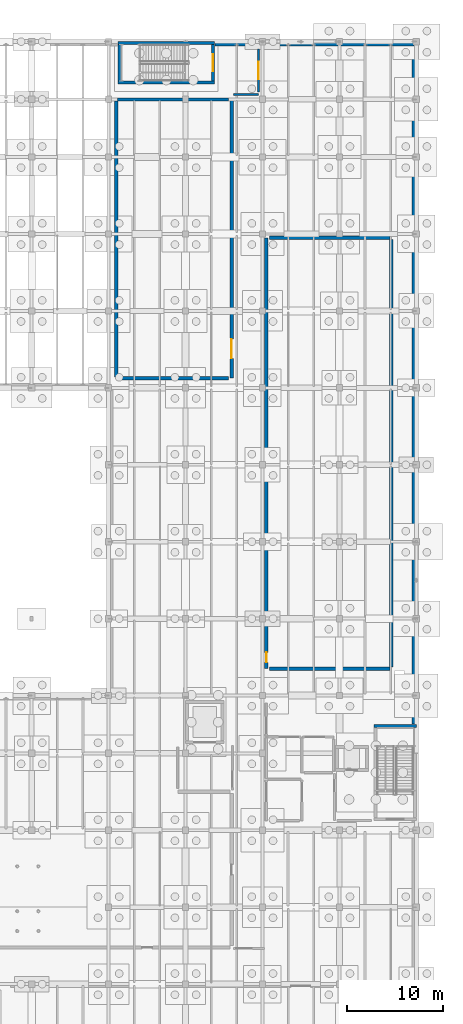
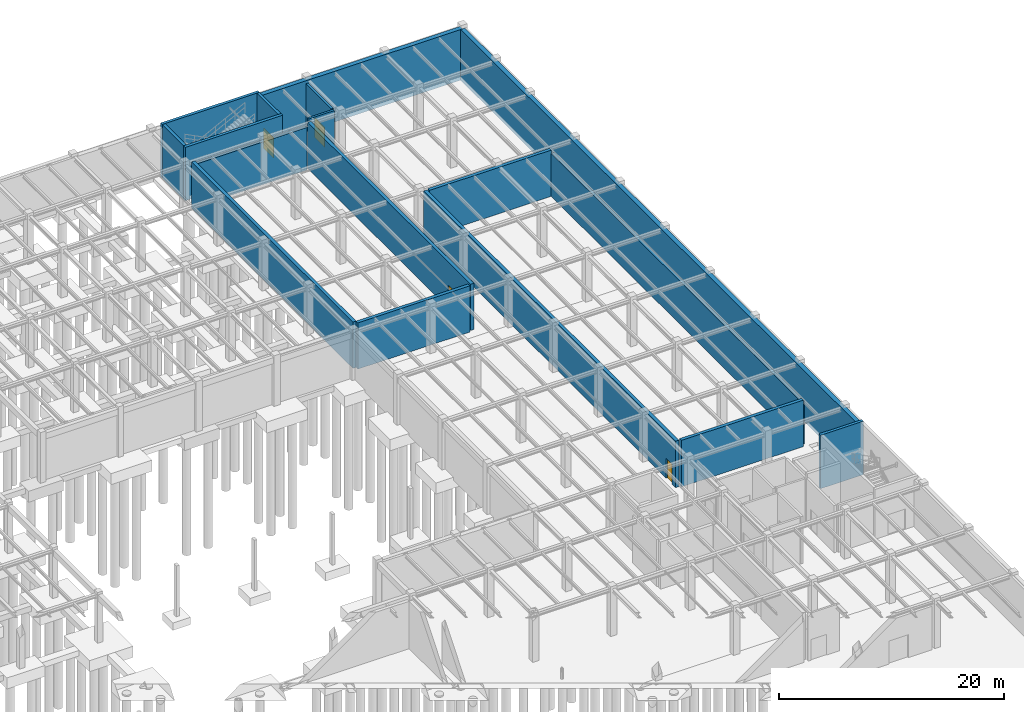
# One storey, part 58 of 71: 17 walls, 4 doors, 4 openings.
"""IFC4 building model written with IfcOpenShell, lengths in metres."""

from ifc_helpers import new_model, si_unit, direction, frame, frame_2d, origin, place, context, subcontext, project, spatial, rectangle, extrude, material, layer, layer_set, type_object, element, fill, save


model = new_model("IFC4")

# Units and contexts
model_context = context("Model", 3, precision=1e-05, world=origin(), true_north=direction((0.0, 1.0)))
body_context = subcontext(model_context, "Body", "Model", "MODEL_VIEW")
ifc_project = project(units=[si_unit("LENGTHUNIT", "METRE"), si_unit("AREAUNIT", "SQUARE_METRE"), si_unit("VOLUMEUNIT", "CUBIC_METRE"), si_unit("PLANEANGLEUNIT", "RADIAN"), si_unit("MASSUNIT", "GRAM", prefix="KILO")], contexts=[model_context])

# Site, building, storey
site_placement = place(None, origin())
site = spatial("IfcSite", under=ifc_project, at=site_placement, CompositionType="ELEMENT")
building_placement = place(site_placement, origin())
building = spatial("IfcBuilding", under=site, at=building_placement, Name="Sundkrona Museum", CompositionType="ELEMENT")
storey_placement = place(building_placement, frame((0.0, 0.0, -5.39990234375)))
storey = spatial("IfcBuildingStorey", under=building, at=storey_placement, Name="B1", CompositionType="ELEMENT", Elevation=-5.39990234375)

# Wall, opening, door
ifc_material_1 = material(Name="Concrete C40/50", Category="concrete")
ifc_layer_1 = layer(ifc_material_1, 0.330078125)
ifc_layer_set_1 = layer_set([ifc_layer_1], Name="Concrete C40/50")
wall_type_1 = type_object("IfcWallType", Name="W-ARC-120", PredefinedType="SOLIDWALL", material=ifc_layer_set_1)
wall_1_placement = place(storey_placement, frame((148.800048828125, 79.0, 0.0), z_axis=(0.0, 0.0, 1.0), x_axis=(0.0, 1.0, 0.0)))
wall_1 = element("IfcWall", 1, at=wall_1_placement, inside=storey, type_object=wall_type_1, Name="B1 Partition East Basement Spine / Osteology Collection Storage", PredefinedType="SOLIDWALL", context=body_context, shape_type="SweptSolid", body=[
    extrude(rectangle(XDim=29.0, YDim=0.330078125, at=frame_2d((14.5, 0.0))), origin(), (0.0, 0.0, 1.0), 5.02490234375),
])
opening_1_placement = place(wall_1_placement, frame((2.06005859375, 0.0, 0.0)))
opening_1 = element("IfcOpeningElement", 2, at=opening_1_placement, cuts=wall_1, Name="Opening D-ARC-120", PredefinedType="OPENING", context=body_context, shape_type="SweptSolid", body=[
    extrude(rectangle(XDim=2.0, YDim=2.5, at=frame_2d((1.0, 1.25))), frame((0.0, 0.175048828125, 0.0), z_axis=(0.0, -1.0, 0.0), x_axis=(1.0, 0.0, 0.0)), (0.0, 0.0, 1.0), 0.35009765625),
])
ifc_material_2 = material(Name="Insulated Steel Vault Door", Category="steel")
door_type_1 = type_object("IfcDoorType", Name="D-ARC-120", OperationType="DOUBLE_DOOR_SINGLE_SWING", PredefinedType="DOOR", material=ifc_material_2)
door_1_placement = place(opening_1_placement, origin())
door_1 = element("IfcDoor", 3, at=door_1_placement, inside=storey, type_object=door_type_1, Name="B1 Interior Door DR-ADJ-B1-0017", OperationType="DOUBLE_DOOR_SINGLE_SWING", OverallHeight=2.5, OverallWidth=2.0, PredefinedType="DOOR", context=body_context, shape_type="SweptSolid", body=[
    extrude(rectangle(XDim=2.0, YDim=2.5, at=frame_2d((1.0, 1.25))), frame((0.0, 0.02490234375, 0.0), z_axis=(0.0, -1.0, 0.0), x_axis=(1.0, 0.0, 0.0)), (0.0, 0.0, 1.0), 0.050048828125),
])
fill(opening_1, door_1)

wall_2_placement = place(storey_placement, frame((152.39990234375, 48.800048828125, 0.0), z_axis=(0.0, 0.0, 1.0), x_axis=(0.0, 1.0, 0.0)))
wall_2 = element("IfcWall", 4, at=wall_2_placement, inside=storey, type_object=wall_type_1, Name="B1 Partition East Basement Spine / Museum AHU Ventilation Plant", PredefinedType="SOLIDWALL", context=body_context, shape_type="SweptSolid", body=[
    extrude(rectangle(XDim=44.800048828125, YDim=0.330078125, at=frame_2d((22.39990234375, 0.0))), origin(), (0.0, 0.0, 1.0), 5.0498046875),
])
opening_2_placement = place(wall_2_placement, frame((0.65087890625, 0.0, 0.0)))
opening_2 = element("IfcOpeningElement", 5, at=opening_2_placement, cuts=wall_2, Name="Opening D-ARC-S120", PredefinedType="OPENING", context=body_context, shape_type="SweptSolid", body=[
    extrude(rectangle(XDim=1.050048828125, YDim=2.14990234375, at=frame_2d((0.52490234375, 1.074951171875))), frame((0.0, 0.175048828125, 0.0), z_axis=(0.0, -1.0, 0.0), x_axis=(1.0, 0.0, 0.0)), (0.0, 0.0, 1.0), 0.35009765625),
])
door_type_2 = type_object("IfcDoorType", Name="D-ARC-S120", OperationType="NOTDEFINED", PredefinedType="DOOR", material=ifc_material_2)
door_2_placement = place(opening_2_placement, origin())
door_2 = element("IfcDoor", 6, at=door_2_placement, inside=storey, type_object=door_type_2, Name="B1 Interior Door DR-ADJ-B1-0018", OperationType="SINGLE_SWING_RIGHT", OverallHeight=2.14990234375, OverallWidth=1.050048828125, PredefinedType="DOOR", context=body_context, shape_type="SweptSolid", body=[
    extrude(rectangle(XDim=1.050048828125, YDim=2.14990234375, at=frame_2d((0.52490234375, 1.074951171875))), frame((0.0, 0.02490234375, 0.0), z_axis=(0.0, -1.0, 0.0), x_axis=(1.0, 0.0, 0.0)), (0.0, 0.0, 1.0), 0.050048828125),
])
fill(opening_2, door_2)

# Walls
wall_3_placement = place(storey_placement, frame((136.949951171875, 79.0, 0.0), z_axis=(0.0, 0.0, 1.0), x_axis=(1.0, 0.0, 0.0)))
element("IfcWall", 7, at=wall_3_placement, inside=storey, type_object=wall_type_1, Name="B1 Osteology Collection Storage Enclosure Wall S", PredefinedType="SOLIDWALL", context=body_context, shape_type="SweptSolid", body=[
    extrude(rectangle(XDim=11.5, YDim=0.330078125, at=frame_2d((5.75, 0.0))), origin(), (0.0, 0.0, 1.0), 5.02490234375),
])
wall_4_placement = place(storey_placement, frame((136.949951171875, 108.0, 0.0), z_axis=(0.0, 0.0, 1.0), x_axis=(1.0, 0.0, 0.0)))
element("IfcWall", 8, at=wall_4_placement, inside=storey, type_object=wall_type_1, Name="B1 Osteology Collection Storage Enclosure Wall N", PredefinedType="SOLIDWALL", context=body_context, shape_type="SweptSolid", body=[
    extrude(rectangle(XDim=11.5, YDim=0.330078125, at=frame_2d((5.75, 0.0))), origin(), (0.0, 0.0, 1.0), 4.625),
])
wall_5_placement = place(storey_placement, frame((136.800048828125, 79.14990234375, 0.0), z_axis=(0.0, 0.0, 1.0), x_axis=(0.0, 1.0, 0.0)))
element("IfcWall", 9, at=wall_5_placement, inside=storey, type_object=wall_type_1, Name="B1 Osteology Collection Storage Enclosure Wall W", PredefinedType="SOLIDWALL", context=body_context, shape_type="SweptSolid", body=[
    extrude(rectangle(XDim=28.7001953125, YDim=0.330078125, at=frame_2d((14.35009765625, 0.0))), origin(), (0.0, 0.0, 1.0), 5.02490234375),
])
wall_6_placement = place(storey_placement, frame((152.75, 48.800048828125, 0.0), z_axis=(0.0, 0.0, 1.0), x_axis=(1.0, 0.0, 0.0)))
element("IfcWall", 10, at=wall_6_placement, inside=storey, type_object=wall_type_1, Name="B1 Museum AHU Ventilation Plant Enclosure Wall S", PredefinedType="SOLIDWALL", context=body_context, shape_type="SweptSolid", body=[
    extrude(rectangle(XDim=12.5, YDim=0.330078125, at=frame_2d((6.25, 0.0))), origin(), (0.0, 0.0, 1.0), 5.0498046875),
])
wall_7_placement = place(storey_placement, frame((152.75, 93.60009765625, 0.0), z_axis=(0.0, 0.0, 1.0), x_axis=(1.0, 0.0, 0.0)))
element("IfcWall", 11, at=wall_7_placement, inside=storey, type_object=wall_type_1, Name="B1 Museum AHU Ventilation Plant Enclosure Wall N", PredefinedType="SOLIDWALL", context=body_context, shape_type="SweptSolid", body=[
    extrude(rectangle(XDim=12.5, YDim=0.330078125, at=frame_2d((6.25, 0.0))), origin(), (0.0, 0.0, 1.0), 5.02490234375),
])
wall_8_placement = place(storey_placement, frame((165.39990234375, 48.949951171875, 0.0), z_axis=(0.0, 0.0, 1.0), x_axis=(0.0, 1.0, 0.0)))
element("IfcWall", 12, at=wall_8_placement, inside=storey, type_object=wall_type_1, Name="B1 Museum AHU Ventilation Plant Enclosure Wall E", PredefinedType="SOLIDWALL", context=body_context, shape_type="SweptSolid", body=[
    extrude(rectangle(XDim=44.5, YDim=0.330078125, at=frame_2d((22.25, 0.0))), origin(), (0.0, 0.0, 1.0), 4.664794921875),
])
ifc_layer_2 = layer(ifc_material_1, 0.300048828125)
ifc_layer_set_2 = layer_set([ifc_layer_2], Name="Concrete C40/50")
wall_type_2 = type_object("IfcWallType", Name="W-CORE-300", PredefinedType="SHEAR", material=ifc_layer_set_2)
wall_9_placement = place(storey_placement, frame((163.60009765625, 42.85009765625, -0.400146484375), z_axis=(0.0, 0.0, 1.0), x_axis=(1.0, 0.0, 0.0)))
element("IfcWall", 13, at=wall_9_placement, inside=storey, type_object=wall_type_2, Name="B1 ST-1 Core Shear Wall North", PredefinedType="SHEAR", context=body_context, shape_type="SweptSolid", body=[
    extrude(rectangle(XDim=4.39990234375, YDim=0.300048828125, at=frame_2d((2.199951171875, 0.0))), origin(), (0.0, 0.0, 1.0), 5.800048828125),
])
for number, where, z_axis, x_axis, name in (
    (14, (137.0, 109.75, -0.400146484375), (0.0, 0.0, 1.0), (1.0, 0.0, 0.0), "B1 ST-5 Core Shear Wall South"),
    (15, (137.0, 113.85009765625, -0.400146484375), (0.0, 0.0, 1.0), (1.0, 0.0, 0.0), "B1 ST-5 Core Shear Wall North"),
):
    element("IfcWall", number, at=place(storey_placement, frame(where, z_axis=z_axis, x_axis=x_axis)), inside=storey, type_object=wall_type_2, Name=name, PredefinedType="SHEAR", context=body_context, shape_type="SweptSolid", body=[
        extrude(rectangle(XDim=10.0, YDim=0.300048828125, at=frame_2d((5.0, 0.0))), origin(), (0.0, 0.0, 1.0), 5.800048828125),
    ])
wall_10_placement = place(storey_placement, frame((137.14990234375, 109.909912109375, -0.400146484375), z_axis=(0.0, 0.0, 1.0), x_axis=(0.0, 1.0, 0.0)))
element("IfcWall", 16, at=wall_10_placement, inside=storey, type_object=wall_type_2, Name="B1 ST-5 Core Shear Wall West", PredefinedType="SHEAR", context=body_context, shape_type="SweptSolid", body=[
    extrude(rectangle(XDim=3.780029296875, YDim=0.300048828125, at=frame_2d((1.89013671875, 0.0))), origin(), (0.0, 0.0, 1.0), 5.800048828125),
])

# Wall, opening, door
wall_11_placement = place(storey_placement, frame((146.85009765625, 109.909912109375, -0.400146484375), z_axis=(0.0, 0.0, 1.0), x_axis=(0.0, 1.0, 0.0)))
wall_11 = element("IfcWall", 17, at=wall_11_placement, inside=storey, type_object=wall_type_2, Name="B1 ST-5 Core Shear Wall East", PredefinedType="SHEAR", context=body_context, shape_type="SweptSolid", body=[
    extrude(rectangle(XDim=3.780029296875, YDim=0.300048828125, at=frame_2d((1.89013671875, 0.0))), origin(), (0.0, 0.0, 1.0), 5.800048828125),
])
opening_3_placement = place(wall_11_placement, frame((0.989990234375, 0.0, 0.39990234375)))
opening_3 = element("IfcOpeningElement", 18, at=opening_3_placement, cuts=wall_11, Name="Opening D-FD60", PredefinedType="OPENING", context=body_context, shape_type="SweptSolid", body=[
    extrude(rectangle(XDim=1.800048828125, YDim=2.199951171875, at=frame_2d((0.89990234375, 1.10009765625))), frame((0.0, 0.159912109375, 0.0), z_axis=(0.0, -1.0, 0.0), x_axis=(1.0, 0.0, 0.0)), (0.0, 0.0, 1.0), 0.320068359375),
])
ifc_material_3 = material(Name="Steel S355J2 Fire Door Leaf", Category="steel")
door_type_3 = type_object("IfcDoorType", Name="D-FD60", OperationType="DOUBLE_DOOR_SINGLE_SWING", PredefinedType="DOOR", material=ifc_material_3)
door_3_placement = place(opening_3_placement, origin())
door_3 = element("IfcDoor", 19, at=door_3_placement, inside=storey, type_object=door_type_3, Name="B1 ST-5 Protected Escape Stair Door DR-ST-5-B1", OperationType="DOUBLE_DOOR_SINGLE_SWING", OverallHeight=2.199951171875, OverallWidth=1.800048828125, PredefinedType="DOOR", context=body_context, shape_type="SweptSolid", body=[
    extrude(rectangle(XDim=1.800048828125, YDim=2.199951171875, at=frame_2d((0.89990234375, 1.10009765625))), frame((0.0, 0.02490234375, 0.0), z_axis=(0.0, -1.0, 0.0), x_axis=(1.0, 0.0, 0.0)), (0.0, 0.0, 1.0), 0.050048828125),
])
fill(opening_3, door_3)

# Wall
ifc_material_4 = material(Name="Autoclaved Aerated Masonry 225 mm", Category="masonry")
ifc_layer_3 = layer(ifc_material_4, 0.22509765625)
ifc_layer_set_3 = layer_set([ifc_layer_3], Name="Autoclaved Aerated Masonry 225 mm")
wall_type_3 = type_object("IfcWallType", Name="W-FF-225", PredefinedType="SOLIDWALL", material=ifc_layer_set_3)
wall_12_placement = place(storey_placement, frame((149.0, 108.5, 0.0), z_axis=(0.0, 0.0, 1.0), x_axis=(1.0, 0.0, 0.0)))
element("IfcWall", 20, at=wall_12_placement, inside=storey, type_object=wall_type_3, Name="B1 Partition Core 5 Stair Lobby / East Basement Spine", PredefinedType="SOLIDWALL", context=body_context, shape_type="SweptSolid", body=[
    extrude(rectangle(XDim=2.60009765625, YDim=0.22509765625, at=frame_2d((1.300048828125, 0.0))), origin(), (0.0, 0.0, 1.0), 5.02490234375),
])

# Wall, opening, door
wall_13_placement = place(storey_placement, frame((151.60009765625, 113.25, 0.0), z_axis=(0.0, 0.0, 1.0), x_axis=(0.0, -1.0, 0.0)))
wall_13 = element("IfcWall", 21, at=wall_13_placement, inside=storey, type_object=wall_type_3, Name="B1 Core 5 Stair Lobby Enclosure Wall E", PredefinedType="SOLIDWALL", context=body_context, shape_type="SweptSolid", body=[
    extrude(rectangle(XDim=4.5, YDim=0.22509765625, at=frame_2d((2.25, 0.0))), origin(), (0.0, 0.0, 1.0), 5.02490234375),
])
opening_4_placement = place(wall_13_placement, frame((1.35009765625, 0.0, 0.0)))
opening_4 = element("IfcOpeningElement", 22, at=opening_4_placement, cuts=wall_13, Name="Opening D-FD60", PredefinedType="OPENING", context=body_context, shape_type="SweptSolid", body=[
    extrude(rectangle(XDim=1.800048828125, YDim=2.199951171875, at=frame_2d((0.89990234375, 1.10009765625))), frame((0.0, 0.12255859375, 0.0), z_axis=(0.0, -1.0, 0.0), x_axis=(1.0, 0.0, 0.0)), (0.0, 0.0, 1.0), 0.2451171875),
])
door_4_placement = place(opening_4_placement, origin())
door_4 = element("IfcDoor", 23, at=door_4_placement, inside=storey, type_object=door_type_3, Name="B1 Interior Door DR-INT-B1-0025", OperationType="DOUBLE_DOOR_SINGLE_SWING", OverallHeight=2.199951171875, OverallWidth=1.800048828125, PredefinedType="DOOR", context=body_context, shape_type="SweptSolid", body=[
    extrude(rectangle(XDim=1.800048828125, YDim=2.199951171875, at=frame_2d((0.89990234375, 1.10009765625))), frame((0.0, 0.02490234375, 0.0), z_axis=(0.0, -1.0, 0.0), x_axis=(1.0, 0.0, 0.0)), (0.0, 0.0, 1.0), 0.050048828125),
])
fill(opening_4, door_4)

# Walls
ifc_layer_4 = layer(ifc_material_1, 0.449951171875)
ifc_layer_set_4 = layer_set([ifc_layer_4], Name="Concrete C40/50")
wall_type_4 = type_object("IfcWallType", Name="W-RET-450", PredefinedType="USERDEFINED", material=ifc_layer_set_4)
wall_14_placement = place(storey_placement, frame((167.77490234375, 43.06005859375, -0.400146484375), z_axis=(0.0, 0.0, 1.0), x_axis=(0.0, 1.0, 0.0)))
element("IfcWall", 24, at=wall_14_placement, inside=storey, type_object=wall_type_4, Name="Basement Retaining Wall 03", ObjectType="RETAININGWALL", PredefinedType="USERDEFINED", context=body_context, shape_type="SweptSolid", body=[
    extrude(rectangle(XDim=70.489990234375, YDim=0.449951171875, at=frame_2d((35.2451171875, 0.0))), origin(), (0.0, 0.0, 1.0), 5.5),
])
wall_15_placement = place(storey_placement, frame((147.06005859375, 113.77490234375, -0.400146484375), z_axis=(0.0, 0.0, 1.0), x_axis=(1.0, 0.0, 0.0)))
element("IfcWall", 25, at=wall_15_placement, inside=storey, type_object=wall_type_4, Name="Basement Retaining Wall 06", ObjectType="RETAININGWALL", PredefinedType="USERDEFINED", context=body_context, shape_type="SweptSolid", body=[
    extrude(rectangle(XDim=20.71484375, YDim=0.449951171875, at=frame_2d((10.357421875, 0.0))), origin(), (0.0, 0.0, 1.0), 5.5),
])

save(model, "model.ifc")
